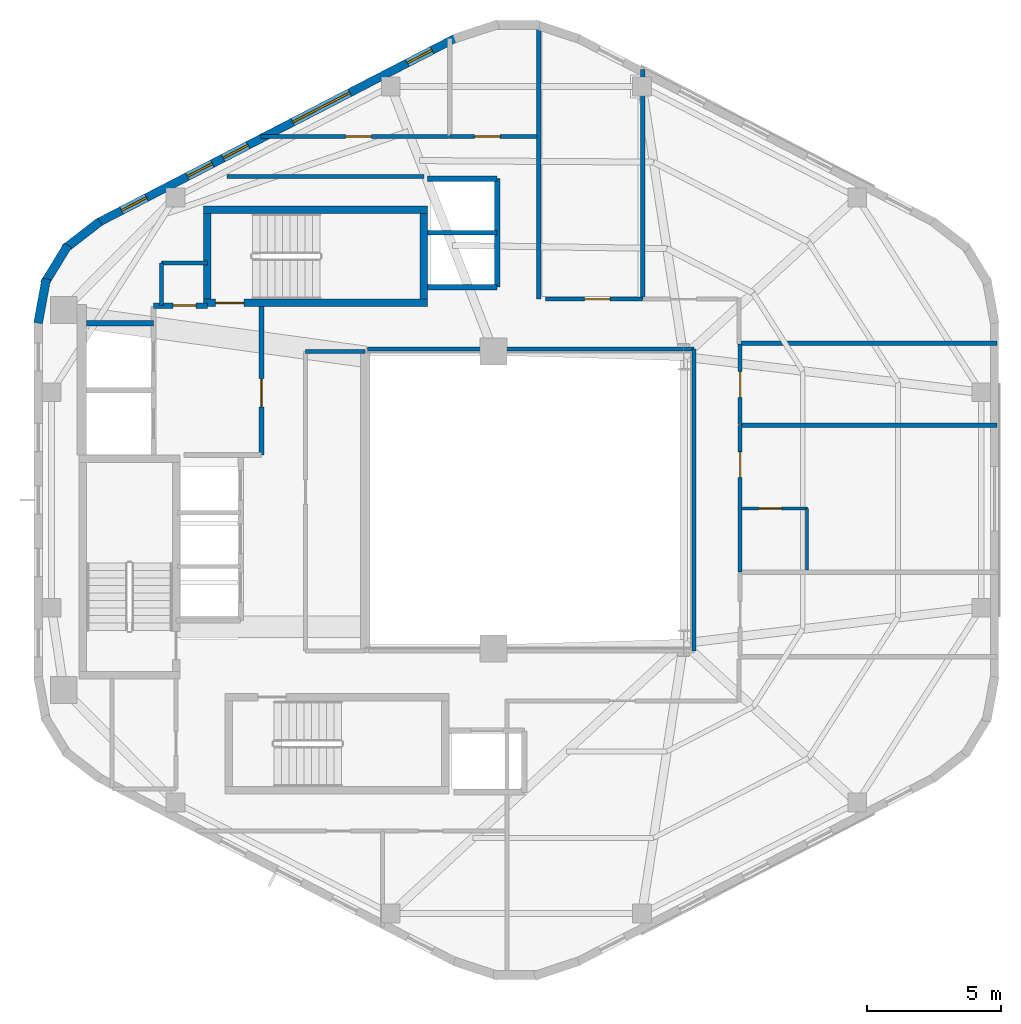
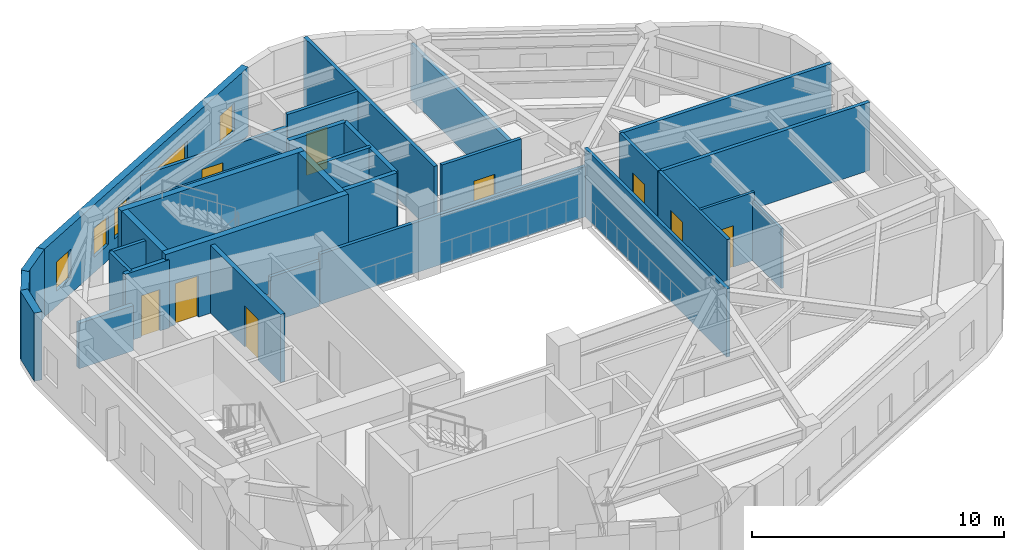
# One storey, part 4 of 7: 32 walls, 9 doors, 5 windows, 14 openings.
"""IFC4 building model written with IfcOpenShell, lengths in metres."""

from ifc_helpers import new_model, si_unit, direction, frame, frame_2d, origin, place, context, subcontext, project, spatial, rectangle, extrude, material, layer, layer_set, type_object, element, fill, save


model = new_model("IFC4")

# Units and contexts
model_context = context("Model", 3, precision=1e-05, world=origin(), true_north=direction((0.0, 1.0)))
body_context = subcontext(model_context, "Body", "Model", "MODEL_VIEW")
ifc_project = project(units=[si_unit("LENGTHUNIT", "METRE"), si_unit("AREAUNIT", "SQUARE_METRE"), si_unit("VOLUMEUNIT", "CUBIC_METRE"), si_unit("PLANEANGLEUNIT", "RADIAN"), si_unit("MASSUNIT", "GRAM", prefix="KILO"), si_unit("THERMODYNAMICTEMPERATUREUNIT", "KELVIN"), si_unit("POWERUNIT", "WATT")], contexts=[model_context])

# Site, building, storey
site_placement = place(None, origin())
site = spatial("IfcSite", under=ifc_project, at=site_placement, CompositionType="ELEMENT")
building_placement = place(site_placement, origin())
building = spatial("IfcBuilding", under=site, at=building_placement, Name="Skarre Station Tower", CompositionType="ELEMENT")
storey_placement = place(building_placement, frame((0.0, 0.0, 263.199951171875)))
storey = spatial("IfcBuildingStorey", under=building, at=storey_placement, Name="L72", CompositionType="ELEMENT", Elevation=263.199951171875)

# Walls
ifc_material_1 = material(Name="Acoustic Steel-Stud Gypsum Partition", Category="steel")
ifc_layer_1 = layer(ifc_material_1, 0.14990234375, Name="Acoustic Steel-Stud Gypsum Partition")
ifc_layer_set_1 = layer_set([ifc_layer_1], Name="Acoustic Steel-Stud Gypsum Partition")
wall_type_1 = type_object("IfcWallType", Name="Fire-Rated Corridor Acoustic Partition 150", PredefinedType="PARTITIONING", material=ifc_layer_set_1)
wall_1_placement = place(storey_placement, frame((27.550048828125, 29.550048828125, 0.0), z_axis=(0.0, 0.0, 1.0), x_axis=(-1.0, 0.0, 0.0)))
element("IfcWall", 1, at=wall_1_placement, inside=storey, type_object=wall_type_1, Name="L72 Interior Partition WL-PT-L72-RC2-N", PredefinedType="PARTITIONING", context=body_context, shape_type="SweptSolid", body=[
    extrude(rectangle(XDim=2.22998046875, YDim=0.14990234375, at=frame_2d((1.114990234375, 0.0))), origin(), (0.0, 0.0, 1.0), 2.18994140625),
])
wall_2_placement = place(storey_placement, frame((19.949951171875, 32.85009765625, 0.0), z_axis=(0.0, 0.0, 1.0), x_axis=(0.0, -1.0, 0.0)))
element("IfcWall", 2, at=wall_2_placement, inside=storey, type_object=wall_type_1, Name="L72 Interior Partition WL-PT-L72-CNW-W", PredefinedType="PARTITIONING", context=body_context, shape_type="SweptSolid", body=[
    extrude(rectangle(XDim=1.590087890625, YDim=0.14990234375, at=frame_2d((0.794921875, 0.0))), origin(), (0.0, 0.0, 1.0), 3.2900390625),
])
wall_3_placement = place(storey_placement, frame((21.659912109375, 32.85009765625, 0.0), z_axis=(0.0, 0.0, 1.0), x_axis=(-1.0, 0.0, 0.0)))
element("IfcWall", 3, at=wall_3_placement, inside=storey, type_object=wall_type_1, Name="L72 Interior Partition WL-PT-L72-CNW-N1", PredefinedType="PARTITIONING", context=body_context, shape_type="SweptSolid", body=[
    extrude(rectangle(XDim=1.7099609375, YDim=0.14990234375, at=frame_2d((0.85498046875, 0.0))), origin(), (0.0, 0.0, 1.0), 3.2900390625),
])
wall_4_placement = place(storey_placement, frame((39.840087890625, 29.639892578125, 0.0), z_axis=(0.0, 0.0, 1.0), x_axis=(-1.0, 0.0, 0.0)))
element("IfcWall", 4, at=wall_4_placement, inside=storey, type_object=wall_type_1, Name="L72 Interior Partition WL-PT-L72-ATRW-N", PredefinedType="PARTITIONING", context=body_context, shape_type="SweptSolid", body=[
    extrude(rectangle(XDim=12.203125, YDim=0.14990234375, at=frame_2d((6.1015625, 0.0))), origin(), (0.0, 0.0, 1.0), 2.43115234375),
])
wall_5_placement = place(storey_placement, frame((39.840087890625, 18.360107421875, 0.0), z_axis=(0.0, 0.0, 1.0), x_axis=(0.0, 1.0, 0.0)))
element("IfcWall", 5, at=wall_5_placement, inside=storey, type_object=wall_type_1, Name="L72 Interior Partition WL-PT-L72-ATRW-E", PredefinedType="PARTITIONING", context=body_context, shape_type="SweptSolid", body=[
    extrude(rectangle(XDim=11.27978515625, YDim=0.14990234375, at=frame_2d((5.639892578125, 0.0))), origin(), (0.0, 0.0, 1.0), 3.2900390625),
])

# Wall, opening, door
wall_6_placement = place(storey_placement, frame((30.7080078125, 37.580078125, 0.0), z_axis=(0.0, 0.0, 1.0), x_axis=(-1.0, 0.0, 0.0)))
wall_6 = element("IfcWall", 6, at=wall_6_placement, inside=storey, type_object=wall_type_1, Name="L72 Interior Partition WL-PT-L72-NWW1-CW", PredefinedType="PARTITIONING", context=body_context, shape_type="SweptSolid", body=[
    extrude(rectangle(XDim=7.0458984375, YDim=0.14990234375, at=frame_2d((3.52294921875, 0.0))), origin(), (0.0, 0.0, 1.0), 2.68212890625),
])
opening_1_placement = place(wall_6_placement, frame((2.925048828125, 0.0, 0.0)))
opening_1 = element("IfcOpeningElement", 7, at=opening_1_placement, cuts=wall_6, Name="Opening DR-FD60", PredefinedType="OPENING", context=body_context, shape_type="SweptSolid", body=[
    extrude(rectangle(XDim=0.9599609375, YDim=2.0, at=frame_2d((0.47998046875, 1.0))), frame((0.0, 0.0849609375, 0.0), z_axis=(0.0, -1.0, 0.0), x_axis=(1.0, 0.0, 0.0)), (0.0, 0.0, 1.0), 0.169921875),
])
ifc_material_2 = material(Name="Nordic White-Oak Veneer Solid-Core Fire Leaf", Category="wood")
door_type_1 = type_object("IfcDoorType", Name="Corridor Suite Entry Fire Door FD60 960x2150", OperationType="SINGLE_SWING_LEFT", PredefinedType="DOOR", material=ifc_material_2)
door_1_placement = place(opening_1_placement, origin())
door_1 = element("IfcDoor", 8, at=door_1_placement, inside=storey, type_object=door_type_1, Name="L72 NWW1 Entry Door", OperationType="SINGLE_SWING_LEFT", OverallHeight=2.0, OverallWidth=0.9599609375, PredefinedType="DOOR", context=body_context, shape_type="SweptSolid", body=[
    extrude(rectangle(XDim=0.9599609375, YDim=2.0, at=frame_2d((0.47998046875, 1.0))), frame((0.0, 0.02490234375, 0.0), z_axis=(0.0, -1.0, 0.0), x_axis=(1.0, 0.0, 0.0)), (0.0, 0.0, 1.0), 0.050048828125),
])
fill(opening_1, door_1)

wall_7_placement = place(storey_placement, frame((33.9619140625, 37.580078125, 0.0), z_axis=(0.0, 0.0, 1.0), x_axis=(-1.0, 0.0, 0.0)))
wall_7 = element("IfcWall", 9, at=wall_7_placement, inside=storey, type_object=wall_type_1, Name="L72 Interior Partition WL-PT-L72-NWW2-CW", PredefinedType="PARTITIONING", context=body_context, shape_type="SweptSolid", body=[
    extrude(rectangle(XDim=3.243896484375, YDim=0.14990234375, at=frame_2d((1.6220703125, 0.0))), origin(), (0.0, 0.0, 1.0), 3.2900390625),
])
opening_2_placement = place(wall_7_placement, frame((1.366943359375, 0.0, 0.0)))
opening_2 = element("IfcOpeningElement", 10, at=opening_2_placement, cuts=wall_7, Name="Opening DR-FD60", PredefinedType="OPENING", context=body_context, shape_type="SweptSolid", body=[
    extrude(rectangle(XDim=0.9599609375, YDim=2.0, at=frame_2d((0.47998046875, 1.0))), frame((0.0, 0.0849609375, 0.0), z_axis=(0.0, -1.0, 0.0), x_axis=(1.0, 0.0, 0.0)), (0.0, 0.0, 1.0), 0.169921875),
])
door_2_placement = place(opening_2_placement, origin())
door_2 = element("IfcDoor", 11, at=door_2_placement, inside=storey, type_object=door_type_1, Name="L72 NWW2 Entry Door", OperationType="SINGLE_SWING_LEFT", OverallHeight=2.0, OverallWidth=0.9599609375, PredefinedType="DOOR", context=body_context, shape_type="SweptSolid", body=[
    extrude(rectangle(XDim=0.9599609375, YDim=2.0, at=frame_2d((0.47998046875, 1.0))), frame((0.0, 0.02490234375, 0.0), z_axis=(0.0, -1.0, 0.0), x_axis=(1.0, 0.0, 0.0)), (0.0, 0.0, 1.0), 0.050048828125),
])
fill(opening_2, door_2)

wall_8_placement = place(storey_placement, frame((37.912109375, 31.5, 0.0), z_axis=(0.0, 0.0, 1.0), x_axis=(-1.0, 0.0, 0.0)))
wall_8 = element("IfcWall", 12, at=wall_8_placement, inside=storey, type_object=wall_type_1, Name="L72 Interior Partition WL-PT-L72-NW1-CW", PredefinedType="PARTITIONING", context=body_context, shape_type="SweptSolid", body=[
    extrude(rectangle(XDim=3.6220703125, YDim=0.14990234375, at=frame_2d((1.81103515625, 0.0))), origin(), (0.0, 0.0, 1.0), 3.2900390625),
])
opening_3_placement = place(wall_8_placement, frame((1.2119140625, 0.0, 0.0)))
opening_3 = element("IfcOpeningElement", 13, at=opening_3_placement, cuts=wall_8, Name="Opening DR-FD60", PredefinedType="OPENING", context=body_context, shape_type="SweptSolid", body=[
    extrude(rectangle(XDim=0.9599609375, YDim=2.0, at=frame_2d((0.47998046875, 1.0))), frame((0.0, 0.0849609375, 0.0), z_axis=(0.0, -1.0, 0.0), x_axis=(1.0, 0.0, 0.0)), (0.0, 0.0, 1.0), 0.169921875),
])
door_3_placement = place(opening_3_placement, origin())
door_3 = element("IfcDoor", 14, at=door_3_placement, inside=storey, type_object=door_type_1, Name="L72 NW1 Entry Door", OperationType="SINGLE_SWING_LEFT", OverallHeight=2.0, OverallWidth=0.9599609375, PredefinedType="DOOR", context=body_context, shape_type="SweptSolid", body=[
    extrude(rectangle(XDim=0.9599609375, YDim=2.0, at=frame_2d((0.47998046875, 1.0))), frame((0.0, 0.02490234375, 0.0), z_axis=(0.0, -1.0, 0.0), x_axis=(1.0, 0.0, 0.0)), (0.0, 0.0, 1.0), 0.050048828125),
])
fill(opening_3, door_3)

wall_9_placement = place(storey_placement, frame((41.56005859375, 21.318115234375, 0.0), z_axis=(0.0, 0.0, 1.0), x_axis=(0.0, 1.0, 0.0)))
wall_9 = element("IfcWall", 15, at=wall_9_placement, inside=storey, type_object=wall_type_1, Name="L72 Interior Partition WL-PT-L72-EW2-CW", PredefinedType="PARTITIONING", context=body_context, shape_type="SweptSolid", body=[
    extrude(rectangle(XDim=5.457763671875, YDim=0.14990234375, at=frame_2d((2.72900390625, 0.0))), origin(), (0.0, 0.0, 1.0), 3.2900390625),
])
opening_4_placement = place(wall_9_placement, frame((3.52392578125, 0.0, 0.0)))
opening_4 = element("IfcOpeningElement", 16, at=opening_4_placement, cuts=wall_9, Name="Opening DR-FD60", PredefinedType="OPENING", context=body_context, shape_type="SweptSolid", body=[
    extrude(rectangle(XDim=0.9599609375, YDim=2.0, at=frame_2d((0.47998046875, 1.0))), frame((0.0, 0.0849609375, 0.0), z_axis=(0.0, -1.0, 0.0), x_axis=(1.0, 0.0, 0.0)), (0.0, 0.0, 1.0), 0.169921875),
])
door_4_placement = place(opening_4_placement, origin())
door_4 = element("IfcDoor", 17, at=door_4_placement, inside=storey, type_object=door_type_1, Name="L72 EW2 Entry Door", OperationType="SINGLE_SWING_LEFT", OverallHeight=2.0, OverallWidth=0.9599609375, PredefinedType="DOOR", context=body_context, shape_type="SweptSolid", body=[
    extrude(rectangle(XDim=0.9599609375, YDim=2.0, at=frame_2d((0.47998046875, 1.0))), frame((0.0, 0.02490234375, 0.0), z_axis=(0.0, -1.0, 0.0), x_axis=(1.0, 0.0, 0.0)), (0.0, 0.0, 1.0), 0.050048828125),
])
fill(opening_4, door_4)

wall_10_placement = place(storey_placement, frame((41.56005859375, 26.81201171875, 0.0), z_axis=(0.0, 0.0, 1.0), x_axis=(0.0, 1.0, 0.0)))
wall_10 = element("IfcWall", 18, at=wall_10_placement, inside=storey, type_object=wall_type_1, Name="L72 Interior Partition WL-PT-L72-EW3-CW", PredefinedType="PARTITIONING", context=body_context, shape_type="SweptSolid", body=[
    extrude(rectangle(XDim=3.008056640625, YDim=0.14990234375, at=frame_2d((1.50390625, 0.0))), origin(), (0.0, 0.0, 1.0), 3.2900390625),
])
opening_5_placement = place(wall_10_placement, frame((1.02392578125, 0.0, 0.0)))
opening_5 = element("IfcOpeningElement", 19, at=opening_5_placement, cuts=wall_10, Name="Opening DR-FD60", PredefinedType="OPENING", context=body_context, shape_type="SweptSolid", body=[
    extrude(rectangle(XDim=0.9599609375, YDim=2.0, at=frame_2d((0.47998046875, 1.0))), frame((0.0, 0.0849609375, 0.0), z_axis=(0.0, -1.0, 0.0), x_axis=(1.0, 0.0, 0.0)), (0.0, 0.0, 1.0), 0.169921875),
])
door_5_placement = place(opening_5_placement, origin())
door_5 = element("IfcDoor", 20, at=door_5_placement, inside=storey, type_object=door_type_1, Name="L72 EW3 Entry Door", OperationType="SINGLE_SWING_LEFT", OverallHeight=2.0, OverallWidth=0.9599609375, PredefinedType="DOOR", context=body_context, shape_type="SweptSolid", body=[
    extrude(rectangle(XDim=0.9599609375, YDim=2.0, at=frame_2d((0.47998046875, 1.0))), frame((0.0, 0.02490234375, 0.0), z_axis=(0.0, -1.0, 0.0), x_axis=(1.0, 0.0, 0.0)), (0.0, 0.0, 1.0), 0.050048828125),
])
fill(opening_5, door_5)

# Wall
wall_11_placement = place(storey_placement, frame((29.7529296875, 36.080078125, 0.0), z_axis=(0.0, 0.0, 1.0), x_axis=(-1.0, 0.0, 0.0)))
element("IfcWall", 21, at=wall_11_placement, inside=storey, type_object=wall_type_1, Name="L72 Interior Partition WL-PT-L72-CSEAL-1", PredefinedType="PARTITIONING", context=body_context, shape_type="SweptSolid", body=[
    extrude(rectangle(XDim=7.35302734375, YDim=0.14990234375, at=frame_2d((3.676513671875, 0.0))), origin(), (0.0, 0.0, 1.0), 2.68212890625),
])

# Wall, opening, door
ifc_material_3 = material(Name="Insulated Timber-Stud Gypsum Partition", Category="wood")
ifc_layer_2 = layer(ifc_material_3, 0.1201171875, Name="Insulated Timber-Stud Gypsum Partition")
ifc_layer_set_2 = layer_set([ifc_layer_2], Name="Insulated Timber-Stud Gypsum Partition")
wall_type_2 = type_object("IfcWallType", Name="Internal Suite Acoustic Partition 120", PredefinedType="PARTITIONING", material=ifc_layer_set_2)
wall_12_placement = place(storey_placement, frame((41.60009765625, 23.68505859375, 0.0), z_axis=(0.0, 0.0, 1.0), x_axis=(1.0, 0.0, 0.0)))
wall_12 = element("IfcWall", 22, at=wall_12_placement, inside=storey, type_object=wall_type_2, Name="L72 Interior Partition WL-PT-L72-EW2-SA1", PredefinedType="PARTITIONING", context=body_context, shape_type="SweptSolid", body=[
    extrude(rectangle(XDim=2.47998046875, YDim=0.1201171875, at=frame_2d((1.239990234375, 0.0))), origin(), (0.0, 0.0, 1.0), 3.2900390625),
])
opening_6_placement = place(wall_12_placement, frame((0.64990234375, 0.0, 0.0)))
opening_6 = element("IfcOpeningElement", 23, at=opening_6_placement, cuts=wall_12, Name="Opening DR-INT86", PredefinedType="OPENING", context=body_context, shape_type="SweptSolid", body=[
    extrude(rectangle(XDim=0.860107421875, YDim=2.0, at=frame_2d((0.43017578125, 1.0))), frame((0.0, 0.070068359375, 0.0), z_axis=(0.0, -1.0, 0.0), x_axis=(1.0, 0.0, 0.0)), (0.0, 0.0, 1.0), 0.14013671875),
])
ifc_material_4 = material(Name="Nordic Birch Acoustic Solid-Core Timber Leaf", Category="wood")
door_type_2 = type_object("IfcDoorType", Name="Internal En-Suite & Bedroom Door 860x2100", OperationType="SINGLE_SWING_LEFT", PredefinedType="DOOR", material=ifc_material_4)
door_6_placement = place(opening_6_placement, origin())
door_6 = element("IfcDoor", 24, at=door_6_placement, inside=storey, type_object=door_type_2, Name="L72 EW2 Alcove Store Door", OperationType="SINGLE_SWING_LEFT", OverallHeight=2.0, OverallWidth=0.860107421875, PredefinedType="DOOR", context=body_context, shape_type="SweptSolid", body=[
    extrude(rectangle(XDim=0.860107421875, YDim=2.0, at=frame_2d((0.43017578125, 1.0))), frame((0.0, 0.02490234375, 0.0), z_axis=(0.0, -1.0, 0.0), x_axis=(1.0, 0.0, 0.0)), (0.0, 0.0, 1.0), 0.050048828125),
])
fill(opening_6, door_6)

# Walls
wall_13_placement = place(storey_placement, frame((44.050048828125, 21.385009765625, 0.0), z_axis=(0.0, 0.0, 1.0), x_axis=(0.0, 1.0, 0.0)))
element("IfcWall", 25, at=wall_13_placement, inside=storey, type_object=wall_type_2, Name="L72 Interior Partition WL-PT-L72-EW2-SA2", PredefinedType="PARTITIONING", context=body_context, shape_type="SweptSolid", body=[
    extrude(rectangle(XDim=2.300048828125, YDim=0.1201171875, at=frame_2d((1.14990234375, 0.0))), origin(), (0.0, 0.0, 1.0), 2.886962890625),
])
ifc_material_5 = material(Name="Precast concrete C45/55", Category="concrete")
ifc_layer_3 = layer(ifc_material_5, 0.330078125, Name="Precast concrete C45/55")
ifc_layer_set_3 = layer_set([ifc_layer_3], Name="Precast concrete C45/55")
wall_type_3 = type_object("IfcWallType", Name="Nordic Rounded Corner Precast Wall 330", PredefinedType="STANDARD", material=ifc_layer_set_3)
wall_14_placement = place(storey_placement, frame((15.337890625, 30.60791015625, 0.0), z_axis=(0.0, 0.0, 1.0), x_axis=(0.180832605401, 0.983513888475, 0.0)))
element("IfcWall", 26, at=wall_14_placement, inside=storey, type_object=wall_type_3, Name="L72 Rounded Corner Precast Wall F2-1", PredefinedType="STANDARD", context=body_context, shape_type="SweptSolid", body=[
    extrude(rectangle(XDim=1.6767578125, YDim=0.330078125, at=frame_2d((0.83837890625, 0.0))), origin(), (0.0, 0.0, 1.0), 3.2900390625),
])
wall_15_placement = place(storey_placement, frame((15.573974609375, 32.08203125, 0.0), z_axis=(0.0, 0.0, 1.0), x_axis=(0.520325409202, 0.853968072318, 0.0)))
element("IfcWall", 27, at=wall_15_placement, inside=storey, type_object=wall_type_3, Name="L72 Rounded Corner Precast Wall F2-2", PredefinedType="STANDARD", context=body_context, shape_type="SweptSolid", body=[
    extrude(rectangle(XDim=1.677978515625, YDim=0.330078125, at=frame_2d((0.8388671875, 0.0))), origin(), (0.0, 0.0, 1.0), 3.2900390625),
])
wall_16_placement = place(storey_placement, frame((16.322021484375, 33.375, 0.0), z_axis=(0.0, 0.0, 1.0), x_axis=(0.790691856293, 0.61221433207, 0.0)))
element("IfcWall", 28, at=wall_16_placement, inside=storey, type_object=wall_type_3, Name="L72 Rounded Corner Precast Wall F2-3", PredefinedType="STANDARD", context=body_context, shape_type="SweptSolid", body=[
    extrude(rectangle(XDim=1.67578125, YDim=0.330078125, at=frame_2d((0.837890625, 0.0))), origin(), (0.0, 0.0, 1.0), 3.2900390625),
])

# Wall, openings, windows
ifc_layer_4 = layer(ifc_material_5, 0.31005859375, Name="Precast concrete C45/55")
ifc_layer_set_4 = layer_set([ifc_layer_4], Name="Precast concrete C45/55")
wall_type_4 = type_object("IfcWallType", Name="Nordic Upper-Zone Precast Facet Wall 310", PredefinedType="STANDARD", material=ifc_layer_set_4)
wall_17_placement = place(storey_placement, frame((17.56591796875, 34.35400390625, 0.0), z_axis=(0.0, 0.0, 1.0), x_axis=(0.888581481622, 0.458718814218, 0.0)))
wall_17 = element("IfcWall", 29, at=wall_17_placement, inside=storey, type_object=wall_type_4, Name="L72 Facet 1 Nordic Precast Masonry Wall", PredefinedType="STANDARD", context=body_context, shape_type="SweptSolid", body=[
    extrude(rectangle(XDim=15.076904296875, YDim=0.31005859375, at=frame_2d((7.53857421875, 0.0))), origin(), (0.0, 0.0, 1.0), 3.2900390625),
])
opening_7_placement = place(wall_17_placement, frame((0.998046875, 0.0, 0.75)))
opening_7 = element("IfcOpeningElement", 30, at=opening_7_placement, cuts=wall_17, Name="Opening WN-SLT", PredefinedType="OPENING", context=body_context, shape_type="SweptSolid", body=[
    extrude(rectangle(XDim=1.050048828125, YDim=1.39990234375, at=frame_2d((0.52490234375, 0.699951171875))), frame((0.0, 0.1650390625, 0.0), z_axis=(0.0, -1.0, 0.0), x_axis=(1.0, 0.0, 0.0)), (0.0, 0.0, 1.0), 0.330078125),
])
opening_8_placement = place(wall_17_placement, frame((3.762939453125, 0.0, 0.75)))
opening_8 = element("IfcOpeningElement", 31, at=opening_8_placement, cuts=wall_17, Name="Opening WN-SLT", PredefinedType="OPENING", context=body_context, shape_type="SweptSolid", body=[
    extrude(rectangle(XDim=1.050048828125, YDim=1.39990234375, at=frame_2d((0.52490234375, 0.699951171875))), frame((0.0, 0.1650390625, 0.0), z_axis=(0.0, -1.0, 0.0), x_axis=(1.0, 0.0, 0.0)), (0.0, 0.0, 1.0), 0.330078125),
])
opening_9_placement = place(wall_17_placement, frame((5.264892578125, 0.0, 0.75)))
opening_9 = element("IfcOpeningElement", 32, at=opening_9_placement, cuts=wall_17, Name="Opening WN-SLT", PredefinedType="OPENING", context=body_context, shape_type="SweptSolid", body=[
    extrude(rectangle(XDim=1.050048828125, YDim=1.39990234375, at=frame_2d((0.52490234375, 0.699951171875))), frame((0.0, 0.1650390625, 0.0), z_axis=(0.0, -1.0, 0.0), x_axis=(1.0, 0.0, 0.0)), (0.0, 0.0, 1.0), 0.330078125),
])
opening_10_placement = place(wall_17_placement, frame((8.197021484375, 0.0, 0.75)))
opening_10 = element("IfcOpeningElement", 33, at=opening_10_placement, cuts=wall_17, Name="Opening WN-Z4A", PredefinedType="OPENING", context=body_context, shape_type="SweptSolid", body=[
    extrude(rectangle(XDim=2.39990234375, YDim=1.60009765625, at=frame_2d((1.199951171875, 0.800048828125))), frame((0.0, 0.1650390625, 0.0), z_axis=(0.0, -1.0, 0.0), x_axis=(1.0, 0.0, 0.0)), (0.0, 0.0, 1.0), 0.330078125),
])
opening_11_placement = place(wall_17_placement, frame((13.00390625, 0.0, 0.75)))
opening_11 = element("IfcOpeningElement", 34, at=opening_11_placement, cuts=wall_17, Name="Opening WN-SLT", PredefinedType="OPENING", context=body_context, shape_type="SweptSolid", body=[
    extrude(rectangle(XDim=1.050048828125, YDim=1.39990234375, at=frame_2d((0.52490234375, 0.699951171875))), frame((0.0, 0.1650390625, 0.0), z_axis=(0.0, -1.0, 0.0), x_axis=(1.0, 0.0, 0.0)), (0.0, 0.0, 1.0), 0.330078125),
])
ifc_material_6 = material(Name="Low-Iron Triple Glazing with Bronze Anodized Frame", Category="glass")
window_type_1 = type_object("IfcWindowType", Name="Nordic Corner Slot Window 1050x1400", PartitioningType="SINGLE_PANEL", PredefinedType="WINDOW", material=ifc_material_6)
window_1_placement = place(opening_7_placement, origin())
window_1 = element("IfcWindow", 35, at=window_1_placement, inside=storey, type_object=window_type_1, Name="L72 Facade Window WL-FAC-L72-F1-1", OverallHeight=1.39990234375, OverallWidth=1.050048828125, PartitioningType="SINGLE_PANEL", PredefinedType="WINDOW", context=body_context, shape_type="SweptSolid", body=[
    extrude(rectangle(XDim=1.050048828125, YDim=1.39990234375, at=frame_2d((0.52490234375, 0.699951171875))), frame((0.0, 0.030029296875, 0.0), z_axis=(0.0, -1.0, 0.0), x_axis=(1.0, 0.0, 0.0)), (0.0, 0.0, 1.0), 0.06005859375),
])
fill(opening_7, window_1)
window_2_placement = place(opening_8_placement, origin())
window_2 = element("IfcWindow", 36, at=window_2_placement, inside=storey, type_object=window_type_1, Name="L72 Facade Window WL-FAC-L72-F1-2", OverallHeight=1.39990234375, OverallWidth=1.050048828125, PartitioningType="SINGLE_PANEL", PredefinedType="WINDOW", context=body_context, shape_type="SweptSolid", body=[
    extrude(rectangle(XDim=1.050048828125, YDim=1.39990234375, at=frame_2d((0.52490234375, 0.699951171875))), frame((0.0, 0.030029296875, 0.0), z_axis=(0.0, -1.0, 0.0), x_axis=(1.0, 0.0, 0.0)), (0.0, 0.0, 1.0), 0.06005859375),
])
fill(opening_8, window_2)
window_3_placement = place(opening_9_placement, origin())
window_3 = element("IfcWindow", 37, at=window_3_placement, inside=storey, type_object=window_type_1, Name="L72 Facade Window WL-FAC-L72-F1-3", OverallHeight=1.39990234375, OverallWidth=1.050048828125, PartitioningType="SINGLE_PANEL", PredefinedType="WINDOW", context=body_context, shape_type="SweptSolid", body=[
    extrude(rectangle(XDim=1.050048828125, YDim=1.39990234375, at=frame_2d((0.52490234375, 0.699951171875))), frame((0.0, 0.030029296875, 0.0), z_axis=(0.0, -1.0, 0.0), x_axis=(1.0, 0.0, 0.0)), (0.0, 0.0, 1.0), 0.06005859375),
])
fill(opening_9, window_3)
window_4_placement = place(opening_11_placement, origin())
window_4 = element("IfcWindow", 38, at=window_4_placement, inside=storey, type_object=window_type_1, Name="L72 Facade Window WL-FAC-L72-F1-5", OverallHeight=1.39990234375, OverallWidth=1.050048828125, PartitioningType="SINGLE_PANEL", PredefinedType="WINDOW", context=body_context, shape_type="SweptSolid", body=[
    extrude(rectangle(XDim=1.050048828125, YDim=1.39990234375, at=frame_2d((0.52490234375, 0.699951171875))), frame((0.0, 0.030029296875, 0.0), z_axis=(0.0, -1.0, 0.0), x_axis=(1.0, 0.0, 0.0)), (0.0, 0.0, 1.0), 0.06005859375),
])
fill(opening_11, window_4)
window_type_2 = type_object("IfcWindowType", Name="Nordic Crown Panorama Window 2400x1600", PartitioningType="SINGLE_PANEL", PredefinedType="WINDOW", material=ifc_material_6)
window_5_placement = place(opening_10_placement, origin())
window_5 = element("IfcWindow", 39, at=window_5_placement, inside=storey, type_object=window_type_2, Name="L72 Facade Window WL-FAC-L72-F1-4", OverallHeight=1.60009765625, OverallWidth=2.39990234375, PartitioningType="SINGLE_PANEL", PredefinedType="WINDOW", context=body_context, shape_type="SweptSolid", body=[
    extrude(rectangle(XDim=2.39990234375, YDim=1.60009765625, at=frame_2d((1.199951171875, 0.800048828125))), frame((0.0, 0.030029296875, 0.0), z_axis=(0.0, -1.0, 0.0), x_axis=(1.0, 0.0, 0.0)), (0.0, 0.0, 1.0), 0.06005859375),
])
fill(opening_10, window_5)

# Wall, opening, door
ifc_material_7 = material(Name="Concrete C50/60", Category="concrete")
ifc_layer_5 = layer(ifc_material_7, 0.280029296875, Name="Concrete C50/60")
ifc_layer_set_5 = layer_set([ifc_layer_5], Name="Concrete C50/60")
wall_type_5 = type_object("IfcWallType", Name="RC Core Shear Wall 280", PredefinedType="SHEAR", material=ifc_layer_set_5)
wall_18_placement = place(storey_placement, frame((21.52001953125, 31.360107421875, 0.0), z_axis=(0.0, 0.0, 1.0), x_axis=(1.0, 0.0, 0.0)))
wall_18 = element("IfcWall", 40, at=wall_18_placement, inside=storey, type_object=wall_type_5, Name="L72 Stair ST-3 South Shear Wall", PredefinedType="SHEAR", context=body_context, shape_type="SweptSolid", body=[
    extrude(rectangle(XDim=8.35986328125, YDim=0.280029296875, at=frame_2d((4.179931640625, 0.0))), origin(), (0.0, 0.0, 1.0), 3.550048828125),
])
opening_12_placement = place(wall_18_placement, frame((0.449951171875, 0.0, 0.0)))
opening_12 = element("IfcOpeningElement", 41, at=opening_12_placement, cuts=wall_18, Name="Opening DR-FD90", PredefinedType="OPENING", context=body_context, shape_type="SweptSolid", body=[
    extrude(rectangle(XDim=1.050048828125, YDim=2.0, at=frame_2d((0.52490234375, 1.0))), frame((0.0, 0.14990234375, 0.0), z_axis=(0.0, -1.0, 0.0), x_axis=(1.0, 0.0, 0.0)), (0.0, 0.0, 1.0), 0.300048828125),
])
ifc_material_8 = material(Name="Fire-Rated Insulated Steel Frame & Timber Core Leaf", Category="steel")
door_type_3 = type_object("IfcDoorType", Name="Stair & FSAE Lobby Fire Door FD90 1050x2150", OperationType="SINGLE_SWING_RIGHT", PredefinedType="DOOR", material=ifc_material_8)
door_7_placement = place(opening_12_placement, origin())
door_7 = element("IfcDoor", 42, at=door_7_placement, inside=storey, type_object=door_type_3, Name="L72 Stair ST-3 & FSAE Lobby Direct Exit Door", OperationType="SINGLE_SWING_LEFT", OverallHeight=2.0, OverallWidth=1.050048828125, PredefinedType="DOOR", context=body_context, shape_type="SweptSolid", body=[
    extrude(rectangle(XDim=1.050048828125, YDim=2.0, at=frame_2d((0.52490234375, 1.0))), frame((0.0, 0.02490234375, 0.0), z_axis=(0.0, -1.0, 0.0), x_axis=(1.0, 0.0, 0.0)), (0.0, 0.0, 1.0), 0.050048828125),
])
fill(opening_12, door_7)

# Walls
wall_19_placement = place(storey_placement, frame((29.8798828125, 34.840087890625, 0.0), z_axis=(0.0, 0.0, 1.0), x_axis=(-1.0, 0.0, 0.0)))
element("IfcWall", 43, at=wall_19_placement, inside=storey, type_object=wall_type_5, Name="L72 Stair ST-3 North Shear Wall", PredefinedType="SHEAR", context=body_context, shape_type="SweptSolid", body=[
    extrude(rectangle(XDim=8.35986328125, YDim=0.280029296875, at=frame_2d((4.179931640625, 0.0))), origin(), (0.0, 0.0, 1.0), 3.550048828125),
])
for number, where, z_axis, x_axis, name in (
    (44, (21.659912109375, 34.699951171875, 0.0), (0.0, 0.0, 1.0), (0.0, -1.0, 0.0), "L72 Stair ST-3 West Shear Wall"),
    (45, (29.739990234375, 31.5, 0.0), (0.0, 0.0, 1.0), (0.0, 1.0, 0.0), "L72 Stair ST-3 East Shear Wall"),
):
    element("IfcWall", number, at=place(storey_placement, frame(where, z_axis=z_axis, x_axis=x_axis)), inside=storey, type_object=wall_type_5, Name=name, PredefinedType="SHEAR", context=body_context, shape_type="SweptSolid", body=[
        extrude(rectangle(XDim=3.199951171875, YDim=0.280029296875, at=frame_2d((1.60009765625, 0.0))), origin(), (0.0, 0.0, 1.0), 3.550048828125),
    ])

# Wall, opening, door
ifc_material_9 = material(Name="Gypsum Concrete Shaft Assembly C30/37", Category="concrete")
ifc_layer_6 = layer(ifc_material_9, 0.199951171875, Name="Gypsum Concrete Shaft Assembly C30/37")
ifc_layer_set_6 = layer_set([ifc_layer_6], Name="Gypsum Concrete Shaft Assembly C30/37")
wall_type_6 = type_object("IfcWallType", Name="Shaft & Core Fire Partition 200", PredefinedType="PARTITIONING", material=ifc_layer_set_6)
wall_20_placement = place(storey_placement, frame((23.679931640625, 25.679931640625, 0.0), z_axis=(0.0, 0.0, 1.0), x_axis=(0.0, 1.0, 0.0)))
wall_20 = element("IfcWall", 46, at=wall_20_placement, inside=storey, type_object=wall_type_6, Name="L72 Interior Partition WL-PT-L72-FSAE-E", PredefinedType="PARTITIONING", context=body_context, shape_type="SweptSolid", body=[
    extrude(rectangle(XDim=5.5400390625, YDim=0.199951171875, at=frame_2d((2.77001953125, 0.0))), origin(), (0.0, 0.0, 1.0), 3.2900390625),
])
opening_13_placement = place(wall_20_placement, frame((1.800048828125, 0.0, 0.0)))
opening_13 = element("IfcOpeningElement", 47, at=opening_13_placement, cuts=wall_20, Name="Opening DR-FD90", PredefinedType="OPENING", context=body_context, shape_type="SweptSolid", body=[
    extrude(rectangle(XDim=1.050048828125, YDim=2.0, at=frame_2d((0.52490234375, 1.0))), frame((0.0, 0.10986328125, 0.0), z_axis=(0.0, -1.0, 0.0), x_axis=(1.0, 0.0, 0.0)), (0.0, 0.0, 1.0), 0.219970703125),
])
door_8_placement = place(opening_13_placement, origin())
door_8 = element("IfcDoor", 48, at=door_8_placement, inside=storey, type_object=door_type_3, Name="L72 FSAE Lobby Fire Door", OperationType="SINGLE_SWING_RIGHT", OverallHeight=2.0, OverallWidth=1.050048828125, PredefinedType="DOOR", context=body_context, shape_type="SweptSolid", body=[
    extrude(rectangle(XDim=1.050048828125, YDim=2.0, at=frame_2d((0.52490234375, 1.0))), frame((0.0, 0.02490234375, 0.0), z_axis=(0.0, -1.0, 0.0), x_axis=(1.0, 0.0, 0.0)), (0.0, 0.0, 1.0), 0.050048828125),
])
fill(opening_13, door_8)

wall_21_placement = place(storey_placement, frame((21.659912109375, 31.260009765625, 0.0), z_axis=(0.0, 0.0, 1.0), x_axis=(-1.0, 0.0, 0.0)))
wall_21 = element("IfcWall", 49, at=wall_21_placement, inside=storey, type_object=wall_type_6, Name="L72 Interior Partition WL-PT-L72-FSAE-N", PredefinedType="PARTITIONING", context=body_context, shape_type="SweptSolid", body=[
    extrude(rectangle(XDim=2.010009765625, YDim=0.199951171875, at=frame_2d((1.0048828125, 0.0))), origin(), (0.0, 0.0, 1.0), 3.2900390625),
])
opening_14_placement = place(wall_21_placement, frame((0.419921875, 0.0, 0.0)))
opening_14 = element("IfcOpeningElement", 50, at=opening_14_placement, cuts=wall_21, Name="Opening DR-SVC86", PredefinedType="OPENING", context=body_context, shape_type="SweptSolid", body=[
    extrude(rectangle(XDim=0.860107421875, YDim=2.0, at=frame_2d((0.43017578125, 1.0))), frame((0.0, 0.10986328125, 0.0), z_axis=(0.0, -1.0, 0.0), x_axis=(1.0, 0.0, 0.0)), (0.0, 0.0, 1.0), 0.219970703125),
])
ifc_material_10 = material(Name="Powder-Coated Hollow-Metal Acoustic Fire Leaf", Category="steel")
door_type_4 = type_object("IfcDoorType", Name="Compact Riser Fire Door FD60 860x2100", OperationType="SINGLE_SWING_LEFT", PredefinedType="DOOR", material=ifc_material_10)
door_9_placement = place(opening_14_placement, origin())
door_9 = element("IfcDoor", 51, at=door_9_placement, inside=storey, type_object=door_type_4, Name="L72 Core Service Room Lobby Door", OperationType="SINGLE_SWING_LEFT", OverallHeight=2.0, OverallWidth=0.860107421875, PredefinedType="DOOR", context=body_context, shape_type="SweptSolid", body=[
    extrude(rectangle(XDim=0.860107421875, YDim=2.0, at=frame_2d((0.43017578125, 1.0))), frame((0.0, 0.02490234375, 0.0), z_axis=(0.0, -1.0, 0.0), x_axis=(1.0, 0.0, 0.0)), (0.0, 0.0, 1.0), 0.050048828125),
])
fill(opening_14, door_9)

# Walls
wall_22_placement = place(storey_placement, frame((19.64990234375, 30.60009765625, 0.0), z_axis=(0.0, 0.0, 1.0), x_axis=(-1.0, 0.0, 0.0)))
element("IfcWall", 52, at=wall_22_placement, inside=storey, type_object=wall_type_6, Name="L72 Interior Partition WL-PT-L72-FF-N", PredefinedType="PARTITIONING", context=body_context, shape_type="SweptSolid", body=[
    extrude(rectangle(XDim=2.5, YDim=0.199951171875, at=frame_2d((1.25, 0.0))), origin(), (0.0, 0.0, 1.0), 2.18994140625),
])
wall_23_placement = place(storey_placement, frame((32.47998046875, 31.949951171875, 0.0), z_axis=(0.0, 0.0, 1.0), x_axis=(0.0, 1.0, 0.0)))
element("IfcWall", 53, at=wall_23_placement, inside=storey, type_object=wall_type_6, Name="L72 Interior Partition WL-PT-L72-EX-E", PredefinedType="PARTITIONING", context=body_context, shape_type="SweptSolid", body=[
    extrude(rectangle(XDim=4.050048828125, YDim=0.199951171875, at=frame_2d((2.02490234375, 0.0))), origin(), (0.0, 0.0, 1.0), 3.2900390625),
])
for number, where, z_axis, x_axis, name in (
    (54, (29.8798828125, 36.0, 0.0), (0.0, 0.0, 1.0), (1.0, 0.0, 0.0), "L72 Interior Partition WL-PT-L72-EX-N"),
    (55, (32.47998046875, 31.949951171875, 0.0), (0.0, 0.0, 1.0), (-1.0, 0.0, 0.0), "L72 Interior Partition WL-PT-L72-EX-S"),
):
    element("IfcWall", number, at=place(storey_placement, frame(where, z_axis=z_axis, x_axis=x_axis)), inside=storey, type_object=wall_type_6, Name=name, PredefinedType="PARTITIONING", context=body_context, shape_type="SweptSolid", body=[
        extrude(rectangle(XDim=2.60009765625, YDim=0.199951171875, at=frame_2d((1.300048828125, 0.0))), origin(), (0.0, 0.0, 1.0), 3.2900390625),
    ])
wall_24_placement = place(storey_placement, frame((29.875, 33.97998046875, 0.0), z_axis=(0.0, 0.0, 1.0), x_axis=(1.0, 0.0, 0.0)))
element("IfcWall", 56, at=wall_24_placement, inside=storey, type_object=wall_type_6, Name="L72 Interior Partition WL-PT-L72-EX-DIV", PredefinedType="PARTITIONING", context=body_context, shape_type="SweptSolid", body=[
    extrude(rectangle(XDim=2.60498046875, YDim=0.159912109375, at=frame_2d((1.302490234375, 0.0))), origin(), (0.0, 0.0, 1.0), 3.2900390625),
])
ifc_layer_7 = layer(ifc_material_1, 0.1650390625, Name="Acoustic Steel-Stud Gypsum Partition")
ifc_layer_set_7 = layer_set([ifc_layer_7], Name="Acoustic Steel-Stud Gypsum Partition")
wall_type_7 = type_object("IfcWallType", Name="Suite Demising Acoustic Partition 165", PredefinedType="PARTITIONING", material=ifc_layer_set_7)
wall_25_placement = place(storey_placement, frame((34.0400390625, 31.5, 0.0), z_axis=(0.0, 0.0, 1.0), x_axis=(0.0, 1.0, 0.0)))
element("IfcWall", 57, at=wall_25_placement, inside=storey, type_object=wall_type_7, Name="L72 Interior Partition WL-PT-L72-NW-WBND", PredefinedType="PARTITIONING", context=body_context, shape_type="SweptSolid", body=[
    extrude(rectangle(XDim=10.318115234375, YDim=0.1650390625, at=frame_2d((5.1591796875, 0.0))), origin(), (0.0, 0.0, 1.0), 3.2900390625),
])
wall_26_placement = place(storey_placement, frame((37.9169921875, 31.510009765625, 0.0), z_axis=(0.0, 0.0, 1.0), x_axis=(0.0, 1.0, 0.0)))
element("IfcWall", 58, at=wall_26_placement, inside=storey, type_object=wall_type_7, Name="L72 Interior Partition WL-PT-L72-NW-P1", PredefinedType="PARTITIONING", context=body_context, shape_type="SweptSolid", body=[
    extrude(rectangle(XDim=8.575927734375, YDim=0.1650390625, at=frame_2d((4.2880859375, 0.0))), origin(), (0.0, 0.0, 1.0), 2.678955078125),
])
wall_27_placement = place(storey_placement, frame((41.52001953125, 29.860107421875, 0.0), z_axis=(0.0, 0.0, 1.0), x_axis=(1.0, 0.0, 0.0)))
element("IfcWall", 59, at=wall_27_placement, inside=storey, type_object=wall_type_7, Name="L72 Interior Partition WL-PT-L72-EWB-N", PredefinedType="PARTITIONING", context=body_context, shape_type="SweptSolid", body=[
    extrude(rectangle(XDim=9.623046875, YDim=0.1650390625, at=frame_2d((4.8115234375, 0.0))), origin(), (0.0, 0.0, 1.0), 3.2900390625),
])
wall_28_placement = place(storey_placement, frame((41.590087890625, 26.7939453125, 0.0), z_axis=(0.0, 0.0, 1.0), x_axis=(1.0, 0.0, 0.0)))
element("IfcWall", 60, at=wall_28_placement, inside=storey, type_object=wall_type_7, Name="L72 Interior Partition WL-PT-L72-EW-P2", PredefinedType="PARTITIONING", context=body_context, shape_type="SweptSolid", body=[
    extrude(rectangle(XDim=9.552978515625, YDim=0.1650390625, at=frame_2d((4.7763671875, 0.0))), origin(), (0.0, 0.0, 1.0), 3.2900390625),
])

save(model, "model.ifc")
